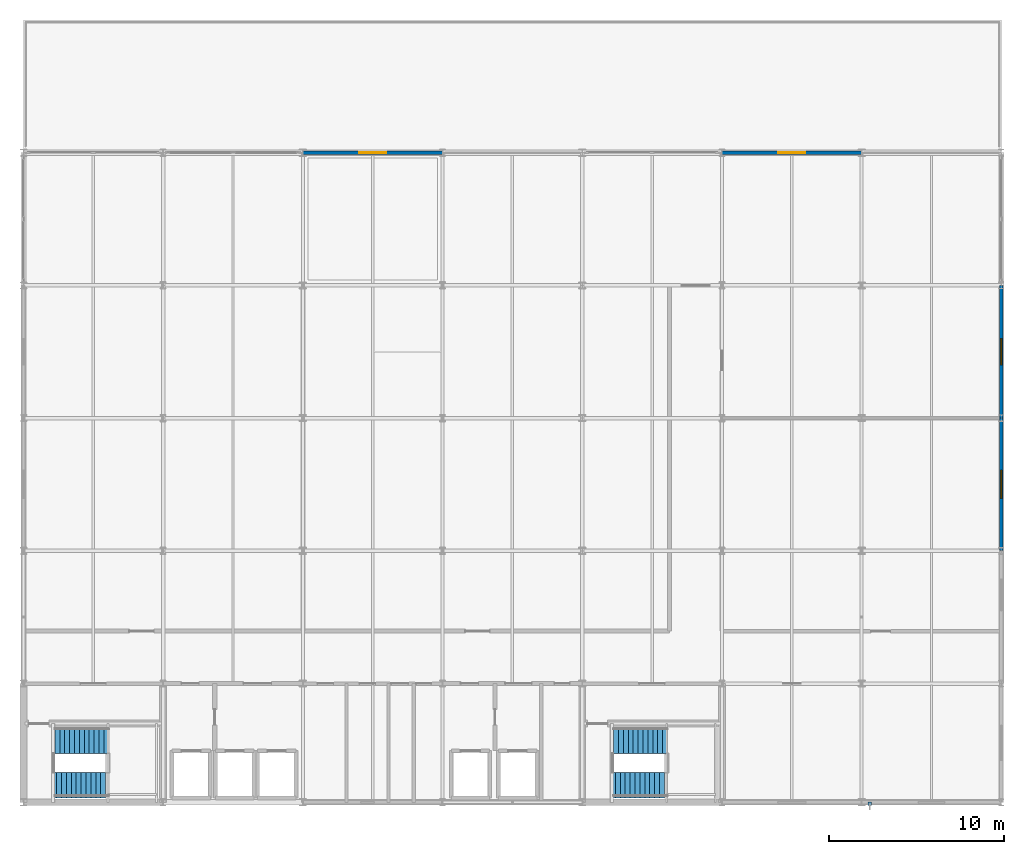
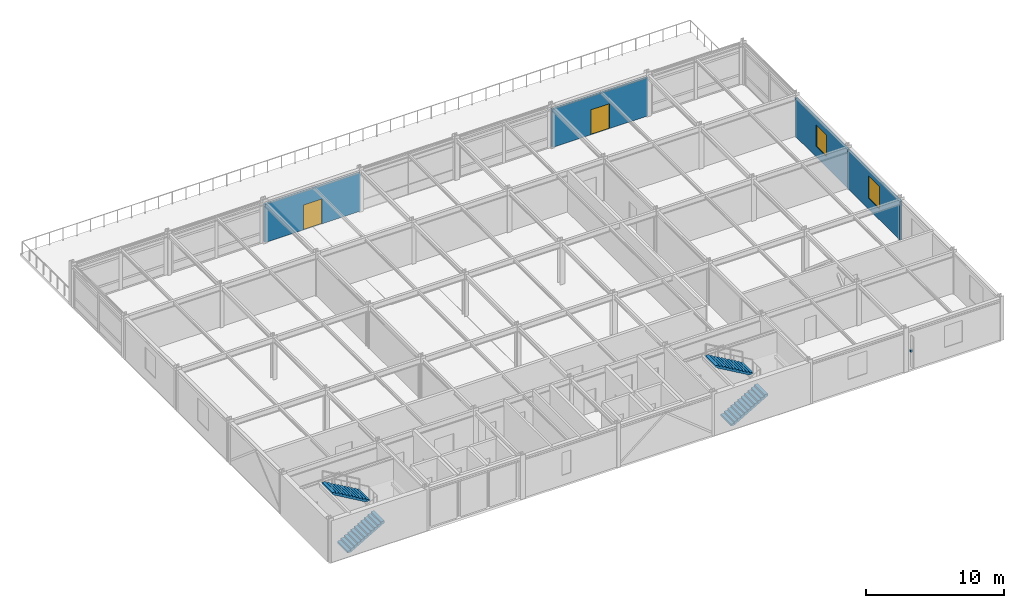
# One storey, part 15 of 17: 4 stair flights, 4 walls, 2 doors, 2 windows, 1 discrete accessory, 4 openings, 2 elements without a shape of their own.
"""IFC4 building model written with IfcOpenShell, lengths in metres."""

import ifcopenshell
import ifcopenshell.guid

model = None  # the IFC model being written
_history = None  # IfcOwnerHistory: only IFC2X3 demands one
_inside = {}  # id of a spatial element -> (the spatial element, [elements in it])
_under = {}  # id of a project, library or spatial element -> (it, [spatial elements below it])
_declared = {}  # id of a project -> (the project, [libraries it declares])
_typed = {}  # id of a type object -> (the type object, [elements of that type])
_made_of = {}  # id of a material, layer set ... -> (it, [elements and type objects made of it])


def new_model(schema):
    """Start an empty IFC model of exactly this schema.

    Asked for "IFC4X3", IfcOpenShell would pick the latest addendum, in which some entities
    have other attributes; the version numbers below select the first issue.
    IFC2X3 requires an IfcOwnerHistory on every rooted entity: one is made here for all.
    """
    global model, _history
    if schema == "IFC4X3":
        model = ifcopenshell.file(schema_version=(4, 3, 0, 0))
    else:
        model = ifcopenshell.file(schema=schema)
    _inside.clear()
    _under.clear()
    _declared.clear()
    _typed.clear()
    _made_of.clear()
    _history = None
    if model.schema == "IFC2X3":
        org = make("IfcOrganization", Name="unknown")
        user = make(
            "IfcPersonAndOrganization",
            ThePerson=make("IfcPerson", FamilyName="unknown"),
            TheOrganization=org,
        )
        app = make(
            "IfcApplication",
            ApplicationDeveloper=org,
            Version="unknown",
            ApplicationFullName="unknown",
            ApplicationIdentifier="unknown",
        )
        _history = make(
            "IfcOwnerHistory",
            OwningUser=user,
            OwningApplication=app,
            ChangeAction="ADDED",
            CreationDate=0,
        )
    return model


def make(cls, **values):
    """One entity of the class cls with the attributes given. An attribute that is None is left unset."""
    return model.create_entity(
        cls, **{name: value for name, value in values.items() if value is not None}
    )


def rooted(cls, **values):
    """An entity with a GlobalId (a new one), such as an element, a storey or a relation."""
    return make(cls, GlobalId=ifcopenshell.guid.new(), OwnerHistory=_history, **values)


def si_unit(unit_type, name, prefix=None):
    """IfcSIUnit, for example si_unit("LENGTHUNIT", "METRE", prefix="MILLI")."""
    return make("IfcSIUnit", UnitType=unit_type, Prefix=prefix, Name=name)


def assignment(units):
    """IfcUnitAssignment: the units of a project."""
    return None if units is None else make("IfcUnitAssignment", Units=units)


def point(xyz):
    """IfcCartesianPoint."""
    return None if xyz is None else make("IfcCartesianPoint", Coordinates=xyz)


def direction(xyz):
    """IfcDirection."""
    return None if xyz is None else make("IfcDirection", DirectionRatios=xyz)


def frame(location, z_axis=None, x_axis=None):
    """IfcAxis2Placement3D, a coordinate frame: its origin and axes. An axis left out is left unset."""
    return make(
        "IfcAxis2Placement3D",
        Location=point(location),
        Axis=direction(z_axis),
        RefDirection=direction(x_axis),
    )


def frame_2d(location, x_axis=None):
    """IfcAxis2Placement2D, a coordinate frame in the plane: its origin and x axis."""
    return make(
        "IfcAxis2Placement2D", Location=point(location), RefDirection=direction(x_axis)
    )


def origin():
    """The frame at (0, 0, 0) with its axes left unset."""
    return frame((0.0, 0.0, 0.0))


def origin_2d():
    """The frame at (0, 0) in the plane with its x axis left unset."""
    return frame_2d((0.0, 0.0))


def place(relative_to, where):
    """IfcLocalPlacement: puts the frame where relative to a parent placement (None: the world)."""
    return make(
        "IfcLocalPlacement", PlacementRelTo=relative_to, RelativePlacement=where
    )


def context(
    kind, dimensions, precision=None, world=None, true_north=None, identifier=None
):
    """IfcGeometricRepresentationContext, for example the 3D "Model" context."""
    return make(
        "IfcGeometricRepresentationContext",
        ContextIdentifier=identifier,
        ContextType=kind,
        CoordinateSpaceDimension=dimensions,
        Precision=precision,
        WorldCoordinateSystem=world,
        TrueNorth=true_north,
    )


def subcontext(parent, identifier, kind, view, scale=None):
    """IfcGeometricRepresentationSubContext, for example "Body" below "Model"."""
    return make(
        "IfcGeometricRepresentationSubContext",
        ContextIdentifier=identifier,
        ContextType=kind,
        ParentContext=parent,
        TargetScale=scale,
        TargetView=view,
    )


def project(units=None, contexts=None):
    """IfcProject with its units and contexts."""
    return rooted(
        "IfcProject",
        Name="project",
        RepresentationContexts=contexts,
        UnitsInContext=assignment(units),
    )


def spatial(cls, under=None, at=None, **own):
    """A site, building, storey or space (cls), placed at a placement, below another one or the project."""
    s = rooted(cls, ObjectPlacement=at, **own)
    if under is not None:
        _under.setdefault(under.id(), (under, []))[1].append(s)
    return s


def polyline(points):
    """IfcPolyline through the points."""
    return make("IfcPolyline", Points=[point(p) for p in points])


def profile(cls, at=None, kind="AREA", **sizes):
    """A parametric profile (cls). Its sizes go by their IFC names, for example OverallWidth=200.0."""
    return make(cls, ProfileType=kind, Position=at, **sizes)


def rectangle(**sizes):
    """IfcRectangleProfileDef."""
    return profile("IfcRectangleProfileDef", **sizes)


def outline(outer, holes=None, kind="AREA"):
    """IfcArbitraryClosedProfileDef: a profile drawn as a closed curve; with holes, ...WithVoids."""
    if holes is None:
        return make("IfcArbitraryClosedProfileDef", ProfileType=kind, OuterCurve=outer)
    return make(
        "IfcArbitraryProfileDefWithVoids",
        ProfileType=kind,
        OuterCurve=outer,
        InnerCurves=holes,
    )


def extrude(swept, where, along, depth):
    """IfcExtrudedAreaSolid: the profile swept, set in the frame where, extruded along a direction by depth."""
    return make(
        "IfcExtrudedAreaSolid",
        SweptArea=swept,
        Position=where,
        ExtrudedDirection=direction(along),
        Depth=depth,
    )


def shape(context_of_items, identifier, shape_type, items):
    """IfcShapeRepresentation: the items that make up one representation, for example the "Body"."""
    return make(
        "IfcShapeRepresentation",
        ContextOfItems=context_of_items,
        RepresentationIdentifier=identifier,
        RepresentationType=shape_type,
        Items=items,
    )


def material(Name=None, Category=None):
    """IfcMaterial."""
    return make("IfcMaterial", Name=Name, Category=Category)


def layer(
    of_material, thickness, ventilated=None, Name=None, Category=None, Priority=None
):
    """IfcMaterialLayer: one layer of a wall or slab, of a material (None: an air gap)."""
    return make(
        "IfcMaterialLayer",
        Material=of_material,
        LayerThickness=thickness,
        IsVentilated=ventilated,
        Name=Name,
        Category=Category,
        Priority=Priority,
    )


def layer_set(layers, Name=None):
    """IfcMaterialLayerSet."""
    return make("IfcMaterialLayerSet", MaterialLayers=layers, LayerSetName=Name)


def made_of(thing, what):
    """Note that an element or type object is made of a material, layer set ...; save() writes the relation."""
    if what is not None:
        _made_of.setdefault(what.id(), (what, []))[1].append(thing)
    return thing


def type_object(cls, material=None, **own):
    """A type object (cls), such as IfcWallType, which elements share."""
    return made_of(rooted(cls, **own), material)


def element(
    cls,
    number,
    at=None,
    inside=None,
    cuts=None,
    type_object=None,
    material=None,
    context=None,
    identifier="Body",
    shape_type=None,
    held_by="IfcProductDefinitionShape",
    body=None,
    shapes=None,
    **own,
):
    """One element of the class cls, such as IfcWall. Its Tag is "e" and its number.

    at: its placement. inside: the storey or other place that contains it. cuts: it is an
    opening in that element (IfcRelVoidsElement). A single representation is given by context,
    identifier, shape_type and body (its items); several are given by shapes. held_by: the class
    of the entity that holds the representations. save() writes the other relations.
    """
    e = rooted(cls, Tag="e%d" % number, ObjectPlacement=at, **own)
    if body is not None:
        shapes = [shape(context, identifier, shape_type, body)]
    if shapes is not None:
        e.Representation = make(held_by, Representations=shapes)
    if inside is not None:
        _inside.setdefault(inside.id(), (inside, []))[1].append(e)
    if cuts is not None:
        rooted(
            "IfcRelVoidsElement", RelatingBuildingElement=cuts, RelatedOpeningElement=e
        )
    if type_object is not None:
        _typed.setdefault(type_object.id(), (type_object, []))[1].append(e)
    return made_of(e, material)


def fill(opening, filler):
    """IfcRelFillsElement: the door or window that sits in an opening."""
    return rooted(
        "IfcRelFillsElement",
        RelatingOpeningElement=opening,
        RelatedBuildingElement=filler,
    )


def aggregate(whole, parts):
    """IfcRelAggregates: a whole, such as a stair, and the parts it consists of."""
    return rooted("IfcRelAggregates", RelatingObject=whole, RelatedObjects=parts)


def save(model, path):
    """Write the relations noted so far, then the file.

    IfcRelAggregates (storeys below a building ...), IfcRelContainedInSpatialStructure (elements
    in a storey), IfcRelDefinesByType, IfcRelAssociatesMaterial and IfcRelDeclares: one each for
    every whole, place, type object, material and project.
    """
    for whole, parts in _under.values():
        aggregate(whole, parts)
    for where, things in _inside.values():
        rooted(
            "IfcRelContainedInSpatialStructure",
            RelatedElements=things,
            RelatingStructure=where,
        )
    for kind, things in _typed.values():
        rooted("IfcRelDefinesByType", RelatedObjects=things, RelatingType=kind)
    for what, things in _made_of.values():
        rooted("IfcRelAssociatesMaterial", RelatedObjects=things, RelatingMaterial=what)
    for by, libraries in _declared.values():
        rooted("IfcRelDeclares", RelatingContext=by, RelatedDefinitions=libraries)
    model.write(path)


model = new_model("IFC4")

# Units and contexts
model_context = context("Model", 3, precision=1e-05, world=origin(), true_north=direction((0.0, 1.0)))
body_context = subcontext(model_context, "Body", "Model", "MODEL_VIEW")
ifc_project = project(units=[si_unit("LENGTHUNIT", "METRE"), si_unit("AREAUNIT", "SQUARE_METRE"), si_unit("VOLUMEUNIT", "CUBIC_METRE"), si_unit("PLANEANGLEUNIT", "RADIAN"), si_unit("MASSUNIT", "GRAM", prefix="KILO")], contexts=[model_context])

# Site, building, storey
site_placement = place(None, origin())
site = spatial("IfcSite", under=ifc_project, at=site_placement, CompositionType="ELEMENT")
building_placement = place(site_placement, origin())
building = spatial("IfcBuilding", under=site, at=building_placement, Name="Shalkamar Park Central Library", CompositionType="ELEMENT")
storey_placement = place(building_placement, frame((0.0, 0.0, 36.0)))
storey = spatial("IfcBuildingStorey", under=building, at=storey_placement, Name="L09", CompositionType="ELEMENT", Elevation=36.0)

# Wall, opening, door
ifc_material_1 = material(Name="Terracotta insulated wall panel", Category="masonry")
ifc_layer = layer(ifc_material_1, 0.179931640625)
ifc_layer_set = layer_set([ifc_layer], Name="TowerSpandrelWall_180")
wall_type = type_object("IfcWallType", Name="Tower Spandrel Wall 180", PredefinedType="SOLIDWALL", material=ifc_layer_set)
wall_1_placement = place(storey_placement, frame((181.006103515625, 285.60009765625, 0.0), z_axis=(0.0, 0.0, 1.0), x_axis=(1.0, 0.0, 0.0)))
wall_1 = element("IfcWall", 1, at=wall_1_placement, inside=storey, type_object=wall_type, Name="Exterior Facade Wall WL-EXT-L09-190", PredefinedType="SOLIDWALL", context=body_context, shape_type="SweptSolid", body=[
    extrude(rectangle(XDim=7.98779296875, YDim=0.179931640625, at=frame_2d((3.993896484375, 0.0))), origin(), (0.0, 0.0, 1.0), 3.367919921875),
])
opening_1_placement = place(wall_1_placement, frame((3.218994140625, 0.0, 0.0)))
opening_1 = element("IfcOpeningElement", 2, at=opening_1_placement, cuts=wall_1, Name="Opening ED-L09-041", PredefinedType="OPENING", context=body_context, shape_type="SweptSolid", body=[
    extrude(rectangle(XDim=1.550048828125, YDim=2.199951171875, at=frame_2d((0.77490234375, 1.10009765625))), frame((0.0, 0.10498046875, 0.0), z_axis=(0.0, -1.0, 0.0), x_axis=(1.0, 0.0, 0.0)), (0.0, 0.0, 1.0), 0.209716796875),
])
ifc_material_2 = material(Name="Thermally broken insulated aluminium and glazed door", Category="aluminium")
door_type = type_object("IfcDoorType", Name="Setback Terrace Door 1550x2200", OperationType="DOUBLE_DOOR_SINGLE_SWING", PredefinedType="DOOR", material=ifc_material_2)
door_1_placement = place(opening_1_placement, origin())
door_1 = element("IfcDoor", 3, at=door_1_placement, inside=storey, type_object=door_type, Name="L09 Setback Reading Terrace Door 09", OperationType="DOUBLE_DOOR_SINGLE_SWING", OverallHeight=2.199951171875, OverallWidth=1.550048828125, PredefinedType="DOOR", context=body_context, shape_type="SweptSolid", body=[
    extrude(rectangle(XDim=1.550048828125, YDim=2.199951171875, at=frame_2d((0.77490234375, 1.10009765625))), frame((0.0, 0.02490234375, 0.0), z_axis=(0.0, -1.0, 0.0), x_axis=(1.0, 0.0, 0.0)), (0.0, 0.0, 1.0), 0.050048828125),
])
fill(opening_1, door_1)

wall_2_placement = place(storey_placement, frame((205.006103515625, 285.60009765625, 0.0), z_axis=(0.0, 0.0, 1.0), x_axis=(1.0, 0.0, 0.0)))
wall_2 = element("IfcWall", 4, at=wall_2_placement, inside=storey, type_object=wall_type, Name="Exterior Facade Wall WL-EXT-L09-191", PredefinedType="SOLIDWALL", context=body_context, shape_type="SweptSolid", body=[
    extrude(rectangle(XDim=7.98779296875, YDim=0.179931640625, at=frame_2d((3.993896484375, 0.0))), origin(), (0.0, 0.0, 1.0), 3.367919921875),
])
opening_2_placement = place(wall_2_placement, frame((3.218994140625, 0.0, 0.0)))
opening_2 = element("IfcOpeningElement", 5, at=opening_2_placement, cuts=wall_2, Name="Opening ED-L09-042", PredefinedType="OPENING", context=body_context, shape_type="SweptSolid", body=[
    extrude(rectangle(XDim=1.550048828125, YDim=2.199951171875, at=frame_2d((0.77490234375, 1.10009765625))), frame((0.0, 0.10498046875, 0.0), z_axis=(0.0, -1.0, 0.0), x_axis=(1.0, 0.0, 0.0)), (0.0, 0.0, 1.0), 0.209716796875),
])
door_2_placement = place(opening_2_placement, origin())
door_2 = element("IfcDoor", 6, at=door_2_placement, inside=storey, type_object=door_type, Name="L09 Setback Reading Terrace Door 12", OperationType="DOUBLE_DOOR_SINGLE_SWING", OverallHeight=2.199951171875, OverallWidth=1.550048828125, PredefinedType="DOOR", context=body_context, shape_type="SweptSolid", body=[
    extrude(rectangle(XDim=1.550048828125, YDim=2.199951171875, at=frame_2d((0.77490234375, 1.10009765625))), frame((0.0, 0.02490234375, 0.0), z_axis=(0.0, -1.0, 0.0), x_axis=(1.0, 0.0, 0.0)), (0.0, 0.0, 1.0), 0.050048828125),
])
fill(opening_2, door_2)

# Wall, opening, window
wall_3_placement = place(storey_placement, frame((221.0, 262.805908203125, 0.0), z_axis=(0.0, 0.0, 1.0), x_axis=(0.0, 1.0, 0.0)))
wall_3 = element("IfcWall", 7, at=wall_3_placement, inside=storey, type_object=wall_type, Name="Exterior Facade Wall WL-EXT-L09-197", PredefinedType="SOLIDWALL", context=body_context, shape_type="SweptSolid", body=[
    extrude(rectangle(XDim=7.588134765625, YDim=0.179931640625, at=frame_2d((3.7939453125, 0.0))), origin(), (0.0, 0.0, 1.0), 3.407958984375),
])
opening_3_placement = place(wall_3_placement, frame((2.993896484375, 0.0, 0.949951171875)))
opening_3 = element("IfcOpeningElement", 8, at=opening_3_placement, cuts=wall_3, Name="Opening WN-13", PredefinedType="OPENING", context=body_context, shape_type="SweptSolid", body=[
    extrude(rectangle(XDim=1.60009765625, YDim=2.0, at=frame_2d((0.800048828125, 1.0))), frame((0.0, 0.10498046875, 0.0), z_axis=(0.0, -1.0, 0.0), x_axis=(1.0, 0.0, 0.0)), (0.0, 0.0, 1.0), 0.209716796875),
])
ifc_material_3 = material(Name="Thermally broken aluminium and triple low-e glass", Category="glass")
window_type_1 = type_object("IfcWindowType", Name="Tower Window 1600x2000", PartitioningType="SINGLE_PANEL", PredefinedType="WINDOW", material=ifc_material_3)
window_1_placement = place(opening_3_placement, origin())
window_1 = element("IfcWindow", 9, at=window_1_placement, inside=storey, type_object=window_type_1, Name="Facade Window WN-L09-140", OverallHeight=2.0, OverallWidth=1.60009765625, PartitioningType="SINGLE_PANEL", PredefinedType="WINDOW", context=body_context, shape_type="SweptSolid", body=[
    extrude(rectangle(XDim=1.60009765625, YDim=2.0, at=frame_2d((0.800048828125, 1.0))), frame((0.0, 0.030029296875, 0.0), z_axis=(0.0, -1.0, 0.0), x_axis=(1.0, 0.0, 0.0)), (0.0, 0.0, 1.0), 0.06005859375),
])
fill(opening_3, window_1)

wall_4_placement = place(storey_placement, frame((221.0, 270.406005859375, 0.0), z_axis=(0.0, 0.0, 1.0), x_axis=(0.0, 1.0, 0.0)))
wall_4 = element("IfcWall", 10, at=wall_4_placement, inside=storey, type_object=wall_type, Name="Exterior Facade Wall WL-EXT-L09-198", PredefinedType="SOLIDWALL", context=body_context, shape_type="SweptSolid", body=[
    extrude(rectangle(XDim=7.587890625, YDim=0.179931640625, at=frame_2d((3.7939453125, 0.0))), origin(), (0.0, 0.0, 1.0), 3.407958984375),
])
opening_4_placement = place(wall_4_placement, frame((3.0439453125, 0.0, 0.949951171875)))
opening_4 = element("IfcOpeningElement", 11, at=opening_4_placement, cuts=wall_4, Name="Opening WN-14", PredefinedType="OPENING", context=body_context, shape_type="SweptSolid", body=[
    extrude(rectangle(XDim=1.5, YDim=1.89990234375, at=frame_2d((0.75, 0.949951171875))), frame((0.0, 0.10498046875, 0.0), z_axis=(0.0, -1.0, 0.0), x_axis=(1.0, 0.0, 0.0)), (0.0, 0.0, 1.0), 0.209716796875),
])
window_type_2 = type_object("IfcWindowType", Name="Tower Window 1500x1900", PartitioningType="SINGLE_PANEL", PredefinedType="WINDOW", material=ifc_material_3)
window_2_placement = place(opening_4_placement, origin())
window_2 = element("IfcWindow", 12, at=window_2_placement, inside=storey, type_object=window_type_2, Name="Facade Window WN-L09-141", OverallHeight=1.89990234375, OverallWidth=1.5, PartitioningType="SINGLE_PANEL", PredefinedType="WINDOW", context=body_context, shape_type="SweptSolid", body=[
    extrude(rectangle(XDim=1.5, YDim=1.89990234375, at=frame_2d((0.75, 0.949951171875))), frame((0.0, 0.030029296875, 0.0), z_axis=(0.0, -1.0, 0.0), x_axis=(1.0, 0.0, 0.0)), (0.0, 0.0, 1.0), 0.06005859375),
])
fill(opening_4, window_2)

# Stair, stair flights
ifc_material_4 = material(Name="Concrete C35/45", Category="concrete")
stair_type = type_object("IfcStairType", Name="Protected Dog Leg Stair 150x390", PredefinedType="TWO_STRAIGHT_RUN_STAIR", material=ifc_material_4)
stair_1_placement = place(storey_placement, origin())
stair_1 = element("IfcStair", 13, at=stair_1_placement, inside=storey, type_object=stair_type, Name="Protected Core Stair ST-T1-L09", PredefinedType="TWO_STRAIGHT_RUN_STAIR")
stair_flight_type = type_object("IfcStairFlightType", Name="Straight Stair Flight 150x390", PredefinedType="STRAIGHT", material=ifc_material_4)
stair_flight_1_placement = place(storey_placement, frame((166.6201171875, 249.389892578125, 0.0), z_axis=(0.0, 0.0, 1.0), x_axis=(1.0, 0.0, 0.0)))
stair_flight_1 = element("IfcStairFlight", 14, at=stair_flight_1_placement, type_object=stair_flight_type, Name="ST-T1-L09 flight 1", NumberOfRisers=12, NumberOfTreads=11, PredefinedType="STRAIGHT", RiserHeight=0.1625, TreadLength=0.28, context=body_context, shape_type="SweptSolid", body=[
    extrude(outline(polyline([(0.0, 0.0), (0.0, 0.16259765625), (0.280029296875, 0.16259765625), (0.280029296875, 0.324951171875), (0.56005859375, 0.324951171875), (0.56005859375, 0.487548828125), (0.840087890625, 0.487548828125), (0.840087890625, 0.64990234375), (1.1201171875, 0.64990234375), (1.1201171875, 0.8125), (1.39990234375, 0.8125), (1.39990234375, 0.97509765625), (1.679931640625, 0.97509765625), (1.679931640625, 1.137451171875), (1.9599609375, 1.137451171875), (1.9599609375, 1.300048828125), (2.239990234375, 1.300048828125), (2.239990234375, 1.46240234375), (2.52001953125, 1.46240234375), (2.52001953125, 1.625), (2.800048828125, 1.625), (2.800048828125, 1.78759765625), (3.080078125, 1.78759765625), (3.080078125, 1.949951171875), (3.080078125, 1.6142578125), (0.298583984375, 0.0), (0.0, 0.0)])), frame((0.0, 0.75, 0.0), z_axis=(0.0, -1.0, 0.0), x_axis=(1.0, 0.0, 0.0)), (0.0, 0.0, 1.0), 1.5),
])
stair_flight_2_placement = place(storey_placement, frame((169.8798828125, 251.909912109375, 1.949951171875), z_axis=(0.0, 0.0, 1.0), x_axis=(-1.0, 0.0, 0.0)))
stair_flight_2 = element("IfcStairFlight", 15, at=stair_flight_2_placement, type_object=stair_flight_type, Name="ST-T1-L09 flight 2", NumberOfRisers=12, NumberOfTreads=11, PredefinedType="STRAIGHT", RiserHeight=0.1625, TreadLength=0.28, context=body_context, shape_type="SweptSolid", body=[
    extrude(outline(polyline([(0.0, 0.0), (0.0, 0.16259765625), (0.280029296875, 0.16259765625), (0.280029296875, 0.324951171875), (0.56005859375, 0.324951171875), (0.56005859375, 0.487548828125), (0.840087890625, 0.487548828125), (0.840087890625, 0.64990234375), (1.1201171875, 0.64990234375), (1.1201171875, 0.8125), (1.39990234375, 0.8125), (1.39990234375, 0.97509765625), (1.679931640625, 0.97509765625), (1.679931640625, 1.137451171875), (1.9599609375, 1.137451171875), (1.9599609375, 1.300048828125), (2.239990234375, 1.300048828125), (2.239990234375, 1.46240234375), (2.52001953125, 1.46240234375), (2.52001953125, 1.625), (2.800048828125, 1.625), (2.800048828125, 1.78759765625), (3.080078125, 1.78759765625), (3.080078125, 1.949951171875), (3.080078125, 1.6142578125), (0.298583984375, 0.0), (0.0, 0.0)])), frame((0.0, 0.75, 0.0), z_axis=(0.0, -1.0, 0.0), x_axis=(1.0, 0.0, 0.0)), (0.0, 0.0, 1.0), 1.5),
])
aggregate(stair_1, [stair_flight_1, stair_flight_2])

stair_2_placement = place(storey_placement, origin())
stair_2 = element("IfcStair", 16, at=stair_2_placement, inside=storey, type_object=stair_type, Name="Protected Core Stair ST-T2-L09", PredefinedType="TWO_STRAIGHT_RUN_STAIR")
stair_flight_3_placement = place(storey_placement, frame((198.6201171875, 249.389892578125, 0.0), z_axis=(0.0, 0.0, 1.0), x_axis=(1.0, 0.0, 0.0)))
stair_flight_3 = element("IfcStairFlight", 17, at=stair_flight_3_placement, type_object=stair_flight_type, Name="ST-T2-L09 flight 1", NumberOfRisers=12, NumberOfTreads=11, PredefinedType="STRAIGHT", RiserHeight=0.1625, TreadLength=0.28, context=body_context, shape_type="SweptSolid", body=[
    extrude(outline(polyline([(0.0, 0.0), (0.0, 0.16259765625), (0.280029296875, 0.16259765625), (0.280029296875, 0.324951171875), (0.56005859375, 0.324951171875), (0.56005859375, 0.487548828125), (0.840087890625, 0.487548828125), (0.840087890625, 0.64990234375), (1.1201171875, 0.64990234375), (1.1201171875, 0.8125), (1.39990234375, 0.8125), (1.39990234375, 0.97509765625), (1.679931640625, 0.97509765625), (1.679931640625, 1.137451171875), (1.9599609375, 1.137451171875), (1.9599609375, 1.300048828125), (2.239990234375, 1.300048828125), (2.239990234375, 1.46240234375), (2.52001953125, 1.46240234375), (2.52001953125, 1.625), (2.800048828125, 1.625), (2.800048828125, 1.78759765625), (3.080078125, 1.78759765625), (3.080078125, 1.949951171875), (3.080078125, 1.6142578125), (0.298583984375, 0.0), (0.0, 0.0)])), frame((0.0, 0.75, 0.0), z_axis=(0.0, -1.0, 0.0), x_axis=(1.0, 0.0, 0.0)), (0.0, 0.0, 1.0), 1.5),
])
stair_flight_4_placement = place(storey_placement, frame((201.8798828125, 251.909912109375, 1.949951171875), z_axis=(0.0, 0.0, 1.0), x_axis=(-1.0, 0.0, 0.0)))
stair_flight_4 = element("IfcStairFlight", 18, at=stair_flight_4_placement, type_object=stair_flight_type, Name="ST-T2-L09 flight 2", NumberOfRisers=12, NumberOfTreads=11, PredefinedType="STRAIGHT", RiserHeight=0.1625, TreadLength=0.28, context=body_context, shape_type="SweptSolid", body=[
    extrude(outline(polyline([(0.0, 0.0), (0.0, 0.16259765625), (0.280029296875, 0.16259765625), (0.280029296875, 0.324951171875), (0.56005859375, 0.324951171875), (0.56005859375, 0.487548828125), (0.840087890625, 0.487548828125), (0.840087890625, 0.64990234375), (1.1201171875, 0.64990234375), (1.1201171875, 0.8125), (1.39990234375, 0.8125), (1.39990234375, 0.97509765625), (1.679931640625, 0.97509765625), (1.679931640625, 1.137451171875), (1.9599609375, 1.137451171875), (1.9599609375, 1.300048828125), (2.239990234375, 1.300048828125), (2.239990234375, 1.46240234375), (2.52001953125, 1.46240234375), (2.52001953125, 1.625), (2.800048828125, 1.625), (2.800048828125, 1.78759765625), (3.080078125, 1.78759765625), (3.080078125, 1.949951171875), (3.080078125, 1.6142578125), (0.298583984375, 0.0), (0.0, 0.0)])), frame((0.0, 0.75, 0.0), z_axis=(0.0, -1.0, 0.0), x_axis=(1.0, 0.0, 0.0)), (0.0, 0.0, 1.0), 1.5),
])
aggregate(stair_2, [stair_flight_3, stair_flight_4])

# Discrete accessory
ifc_material_5 = material(Name="Steel S355", Category="steel")
discrete_accessory_type = type_object("IfcDiscreteAccessoryType", Name="Stainless Facade Bracket", PredefinedType="BRACKET", material=ifc_material_5)
discrete_accessory_placement = place(storey_placement, frame((213.4560546875, 248.31005859375, 1.60400390625), z_axis=(0.0, 0.0, 1.0), x_axis=(1.0, 0.0, 0.0)))
element("IfcDiscreteAccessory", 19, at=discrete_accessory_placement, inside=storey, type_object=discrete_accessory_type, Name="Solar Fin Bracket L09-013", PredefinedType="BRACKET", context=body_context, shape_type="SweptSolid", body=[
    extrude(rectangle(XDim=0.199951171875, YDim=0.199951171875, at=origin_2d()), origin(), (0.0, 0.0, 1.0), 0.159912109375),
])

save(model, "model.ifc")
